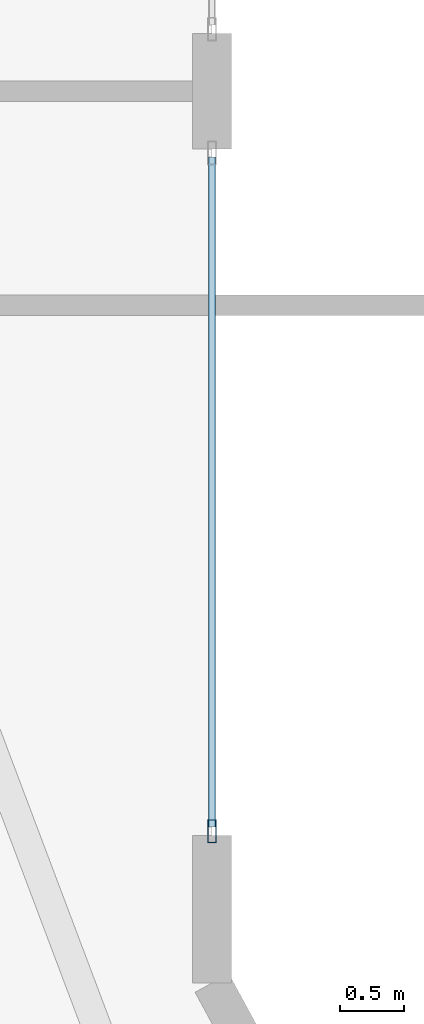
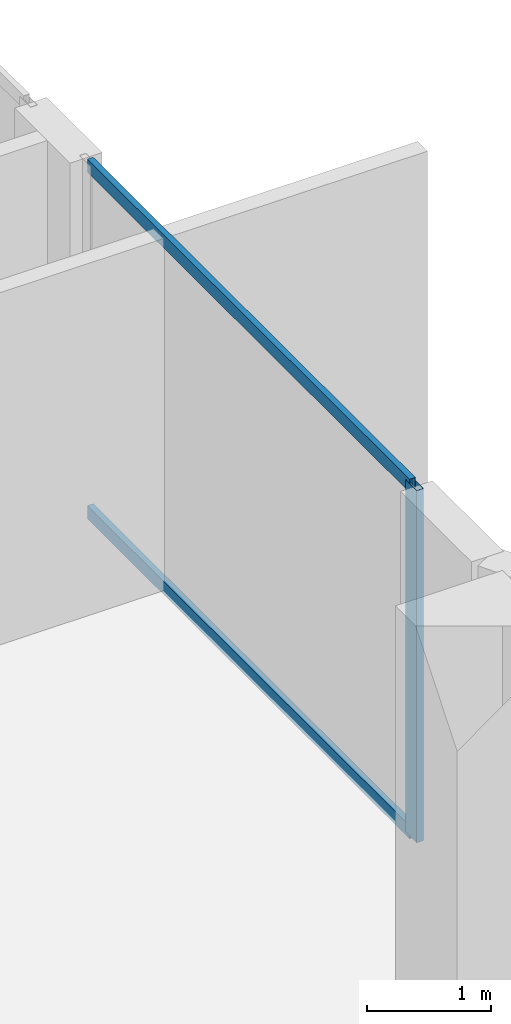
# One storey, part 10 of 24: 3 members, 1 element without a shape of its own.
"""IFC4 building model written with IfcOpenShell, lengths in metres."""

from ifc_helpers import new_model, si_unit, direction, frame, origin, origin_2d, place, context, subcontext, project, spatial, hollow_rectangle, extrude, material, layer, layer_set, material_profile, profile_set, type_object, element, aggregate, save


model = new_model("IFC4")

# Units and contexts
model_context = context("Model", 3, precision=1e-05, world=origin(), true_north=direction((0.0, 1.0)))
body_context = subcontext(model_context, "Body", "Model", "MODEL_VIEW")
ifc_project = project(units=[si_unit("LENGTHUNIT", "METRE"), si_unit("AREAUNIT", "SQUARE_METRE"), si_unit("VOLUMEUNIT", "CUBIC_METRE"), si_unit("PLANEANGLEUNIT", "RADIAN"), si_unit("MASSUNIT", "GRAM", prefix="KILO")], contexts=[model_context])

# Site, building, storey
site_placement = place(None, origin())
site = spatial("IfcSite", under=ifc_project, at=site_placement, CompositionType="ELEMENT")
building_placement = place(site_placement, origin())
building = spatial("IfcBuilding", under=site, at=building_placement, Name="Zuhayl Quay Hotel", CompositionType="ELEMENT")
storey_placement = place(building_placement, frame((0.0, 0.0, 269.25)))
storey = spatial("IfcBuildingStorey", under=building, at=storey_placement, Name="L68", CompositionType="ELEMENT", Elevation=269.25)

# Curtain wall, members
ifc_material_1 = material(Name="Anodised Aluminium 6063-T6", Category="aluminium")
ifc_layer = layer(ifc_material_1, 0.169921875, Name="Anodised Aluminium 6063-T6", Category="aluminium")
ifc_layer_set = layer_set([ifc_layer], Name="Anodised Aluminium 6063-T6")
curtain_wall_type = type_object("IfcCurtainWallType", Name="CW_SYS_Z4", PredefinedType="USERDEFINED", material=ifc_layer_set)
curtain_wall_placement = place(storey_placement, origin())
curtain_wall = element("IfcCurtainWall", 1, at=curtain_wall_placement, inside=storey, type_object=curtain_wall_type, Name="L68 Curtain Wall ENV_L68_E11_CW2", ObjectType="UNITISED CURTAIN WALL", PredefinedType="USERDEFINED")
ifc_material_2 = material(Name="Black-anodised aluminium 6063-T6", Category="aluminium")
ifc_material_profile_1 = material_profile(ifc_material_2, hollow_rectangle(XDim=0.06494140625, YDim=0.179931640625, WallThickness=0.00341796875, at=origin_2d()), Name="ALU180X65")
ifc_profile_set_1 = profile_set([ifc_material_profile_1], Name="Black-anodised aluminium 6063-T6")
member_type_1 = type_object("IfcMemberType", Name="MB_CW_MUL_180", PredefinedType="MULLION", material=ifc_profile_set_1)
member_1_placement = place(storey_placement, frame((20.199951171875, 25.282470703125, 0.0), z_axis=(0.0, 0.0, 1.0), x_axis=(1.0, 0.0, 0.0)))
member_1 = element("IfcMember", 2, at=member_1_placement, type_object=member_type_1, Name="CW-Z4 mullion 2", PredefinedType="MULLION", context=body_context, shape_type="SweptSolid", body=[
    extrude(hollow_rectangle(XDim=0.06494140625, YDim=0.179931640625, WallThickness=0.00341796875, at=origin_2d()), origin(), (0.0, 0.0, 1.0), 3.47998046875),
])
ifc_material_profile_2 = material_profile(ifc_material_2, hollow_rectangle(XDim=0.054931640625, YDim=0.1298828125, WallThickness=0.0029296875, at=origin_2d()), Name="ALU130X55")
ifc_profile_set_2 = profile_set([ifc_material_profile_2], Name="Black-anodised aluminium 6063-T6")
member_type_2 = type_object("IfcMemberType", Name="MB_CW_TRN_130", PredefinedType="USERDEFINED", material=ifc_profile_set_2)
member_2_placement = place(storey_placement, frame((20.199951171875, 30.534912109375, 0.027587890625), z_axis=(0.0, -1.0, 0.0), x_axis=(1.0, 0.0, 0.0)))
member_2 = element("IfcMember", 3, at=member_2_placement, type_object=member_type_2, Name="CW-Z4 transom 1.1", ObjectType="TRANSOM", PredefinedType="USERDEFINED", context=body_context, shape_type="SweptSolid", body=[
    extrude(hollow_rectangle(XDim=0.054931640625, YDim=0.1298828125, WallThickness=0.0029296875, at=origin_2d()), origin(), (0.0, 0.0, 1.0), 5.219970703125),
])
member_3_placement = place(storey_placement, frame((20.199951171875, 30.534912109375, 3.452392578125), z_axis=(0.0, -1.0, 0.0), x_axis=(1.0, 0.0, 0.0)))
member_3 = element("IfcMember", 4, at=member_3_placement, type_object=member_type_2, Name="CW-Z4 transom 1.2", ObjectType="TRANSOM", PredefinedType="USERDEFINED", context=body_context, shape_type="SweptSolid", body=[
    extrude(hollow_rectangle(XDim=0.054931640625, YDim=0.1298828125, WallThickness=0.0029296875, at=origin_2d()), origin(), (0.0, 0.0, 1.0), 5.219970703125),
])
aggregate(curtain_wall, [member_1, member_2, member_3])

save(model, "model.ifc")
